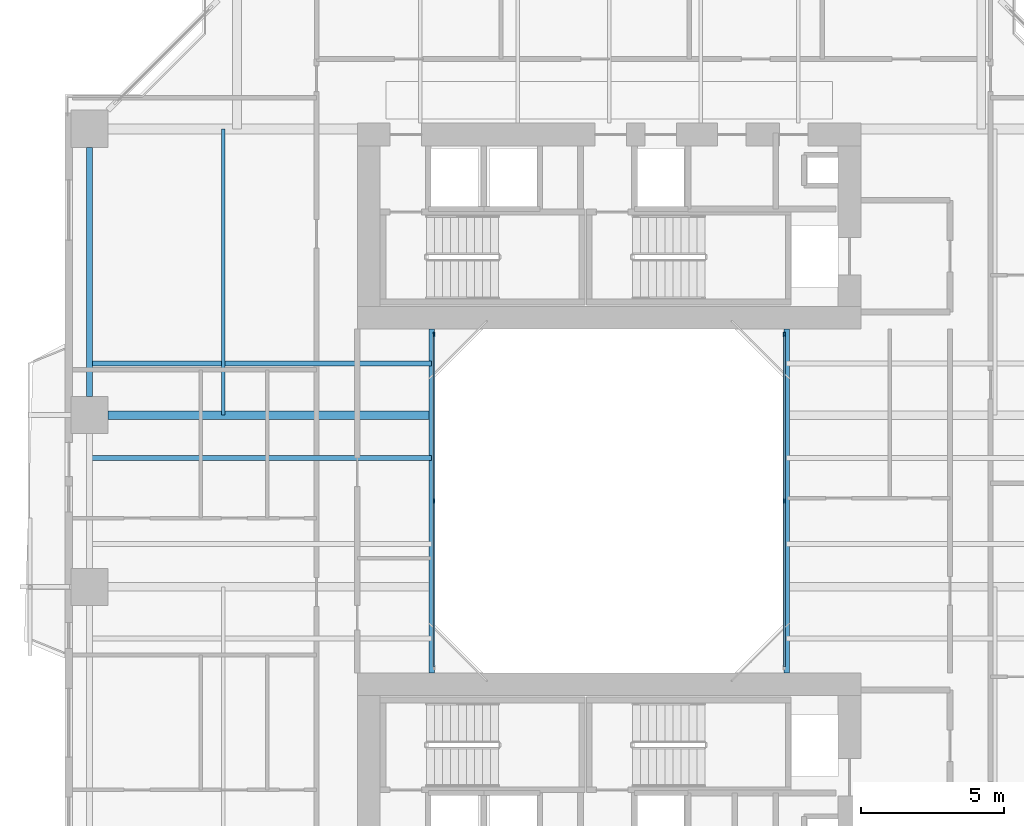
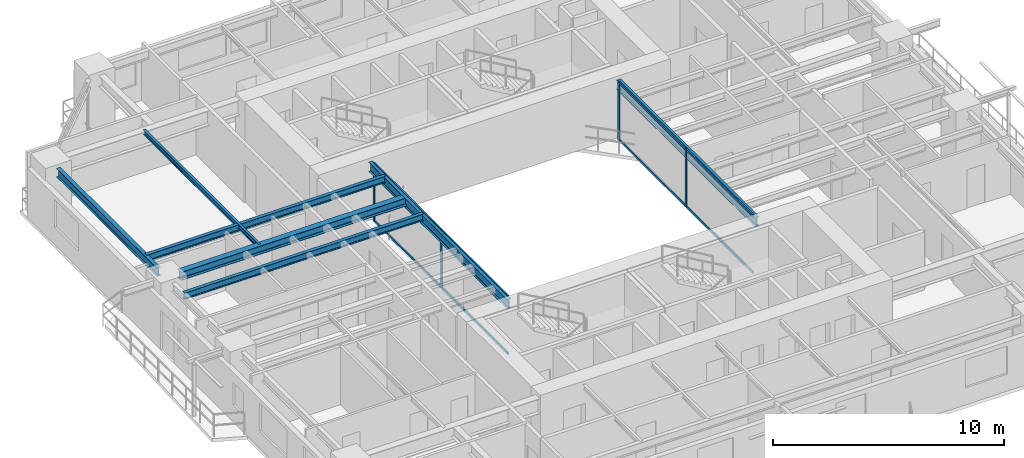
# One storey, part 4 of 23: 12 members, 7 beams, 2 elements without a shape of their own.
"""IFC4 building model written with IfcOpenShell, lengths in metres."""

from ifc_helpers import new_model, si_unit, direction, frame, origin, origin_2d, place, context, subcontext, project, spatial, rectangle, i_section, extrude, source, transform, mapped, material, layer, layer_set, material_profile, profile_set, type_object, element, aggregate, save


model = new_model("IFC4")

# Units and contexts
model_context = context("Model", 3, precision=1e-05, world=origin(), true_north=direction((0.0, 1.0)))
body_context = subcontext(model_context, "Body", "Model", "MODEL_VIEW")
ifc_project = project(units=[si_unit("LENGTHUNIT", "METRE"), si_unit("AREAUNIT", "SQUARE_METRE"), si_unit("VOLUMEUNIT", "CUBIC_METRE"), si_unit("PLANEANGLEUNIT", "RADIAN"), si_unit("MASSUNIT", "GRAM", prefix="KILO"), si_unit("THERMODYNAMICTEMPERATUREUNIT", "KELVIN"), si_unit("POWERUNIT", "WATT")], contexts=[model_context])

# Site, building, storey
site_placement = place(None, origin())
site = spatial("IfcSite", under=ifc_project, at=site_placement, CompositionType="ELEMENT")
building_placement = place(site_placement, origin())
building = spatial("IfcBuilding", under=site, at=building_placement, Name="Qiaomeng Ring Towers", CompositionType="ELEMENT")
storey_placement = place(building_placement, frame((0.0, 0.0, 76.25)))
storey = spatial("IfcBuildingStorey", under=building, at=storey_placement, Name="L21", CompositionType="ELEMENT", Elevation=76.25)

# Beams
ifc_material_1 = material(Name="Steel Q355B", Category="steel")
ifc_material_profile_1 = material_profile(ifc_material_1, i_section(OverallWidth=0.199951171875, OverallDepth=0.5, WebThickness=0.010009765625, FlangeThickness=0.01611328125, FilletRadius=0.02001953125, at=origin_2d()), Name="HN 500x200x10x16")
ifc_profile_set_1 = profile_set([ifc_material_profile_1], Name="Steel Q355B")
beam_type_1 = type_object("IfcBeamType", Name="STR-BM-HN500", PredefinedType="BEAM", material=ifc_profile_set_1)
shared_shape_1 = source(origin(), body_context, "Body", "SweptSolid", [
    extrude(i_section(OverallWidth=0.199951171875, OverallDepth=0.5, WebThickness=0.010009765625, FlangeThickness=0.01611328125, FilletRadius=0.02001953125, at=origin_2d()), origin(), (0.0, 0.0, 1.0), 12.0),
])
for number, where, z_axis, x_axis, name in (
    (1, (12.800048828125, 17.0, 2.820068359375), (0.0, 1.0, 0.0), (-1.0, 0.0, 0.0), "L21 beam STR-BM-L21-WELL-W"),
    (2, (25.199951171875, 17.0, 2.820068359375), (0.0, 1.0, 0.0), (-1.0, 0.0, 0.0), "L21 beam STR-BM-L21-WELL-E"),
):
    element("IfcBeam", number, at=place(storey_placement, frame(where, z_axis=z_axis, x_axis=x_axis)), inside=storey, type_object=beam_type_1, Name=name, PredefinedType="BEAM", context=body_context, shape_type="MappedRepresentation", body=[
        mapped(shared_shape_1, transform((0.0, 0.0, 0.0), x_axis=(1.0, 0.0, 0.0), y_axis=(0.0, 1.0, 0.0), z_axis=(0.0, 0.0, 1.0), scale=1.0)),
    ])
ifc_material_profile_2 = material_profile(ifc_material_1, i_section(OverallWidth=0.199951171875, OverallDepth=0.449951171875, WebThickness=0.009033203125, FlangeThickness=0.013916015625, FilletRadius=0.01806640625, at=origin_2d()), Name="HN 450x200x9x14")
ifc_profile_set_2 = profile_set([ifc_material_profile_2], Name="Steel Q355B")
beam_type_2 = type_object("IfcBeamType", Name="STR-BM-HN450", PredefinedType="SPANDREL", material=ifc_profile_set_2)
shared_shape_2 = source(origin(), body_context, "Body", "SweptSolid", [
    extrude(i_section(OverallWidth=0.199951171875, OverallDepth=0.449951171875, WebThickness=0.009033203125, FlangeThickness=0.013916015625, FilletRadius=0.01806640625, at=origin_2d()), origin(), (0.0, 0.0, 1.0), 8.7021484375),
])
beam_1_placement = place(storey_placement, frame((0.85009765625, 35.35107421875, 2.844970703125), z_axis=(0.0, -1.0, 0.0), x_axis=(1.0, 0.0, 0.0)))
element("IfcBeam", 3, at=beam_1_placement, inside=storey, type_object=beam_type_2, Name="L21 beam STR-SP-L21-T1-W4-W3", PredefinedType="SPANDREL", context=body_context, shape_type="MappedRepresentation", body=[
    mapped(shared_shape_2, transform((0.0, 0.0, 0.0), x_axis=(1.0, 0.0, 0.0), y_axis=(0.0, 1.0, 0.0), z_axis=(0.0, 0.0, 1.0), scale=1.0)),
])
ifc_material_profile_3 = material_profile(ifc_material_1, i_section(OverallWidth=0.300048828125, OverallDepth=0.43994140625, WebThickness=0.010986328125, FlangeThickness=0.01806640625, FilletRadius=0.02392578125, at=origin_2d()), Name="HM 440x300x11x18")
ifc_profile_set_3 = profile_set([ifc_material_profile_3], Name="Steel Q355B")
beam_type_3 = type_object("IfcBeamType", Name="STR-BM-HM440", PredefinedType="BEAM", material=ifc_profile_set_3)
shared_shape_3 = source(origin(), body_context, "Body", "SweptSolid", [
    extrude(i_section(OverallWidth=0.300048828125, OverallDepth=0.43994140625, WebThickness=0.010986328125, FlangeThickness=0.01806640625, FilletRadius=0.02392578125, at=origin_2d()), origin(), (0.0, 0.0, 1.0), 11.301025390625),
])
beam_2_placement = place(storey_placement, frame((1.4990234375, 26.0, 2.85009765625), z_axis=(1.0, 0.0, 0.0), x_axis=(0.0, 1.0, 0.0)))
element("IfcBeam", 4, at=beam_2_placement, inside=storey, type_object=beam_type_3, Name="L21 beam STR-BM-L21-T1-RAD-W3", PredefinedType="BEAM", context=body_context, shape_type="MappedRepresentation", body=[
    mapped(shared_shape_3, transform((0.0, 0.0, 0.0), x_axis=(1.0, 0.0, 0.0), y_axis=(0.0, 1.0, 0.0), z_axis=(0.0, 0.0, 1.0), scale=1.0)),
])
ifc_material_profile_4 = material_profile(ifc_material_1, i_section(OverallWidth=0.175048828125, OverallDepth=0.35009765625, WebThickness=0.007080078125, FlangeThickness=0.010986328125, FilletRadius=0.013916015625, at=origin_2d()), Name="HN 350x175x7x11")
ifc_profile_set_4 = profile_set([ifc_material_profile_4], Name="Steel Q355B")
beam_type_4 = type_object("IfcBeamType", Name="STR-BM-HN350", PredefinedType="JOIST", material=ifc_profile_set_4)
shared_shape_4 = source(origin(), body_context, "Body", "SweptSolid", [
    extrude(i_section(OverallWidth=0.175048828125, OverallDepth=0.35009765625, WebThickness=0.007080078125, FlangeThickness=0.010986328125, FilletRadius=0.013916015625, at=origin_2d()), origin(), (0.0, 0.0, 1.0), 11.949951171875),
])
for number, where, z_axis, x_axis, name in (
    (5, (0.85009765625, 24.5, 2.89501953125), (1.0, 0.0, 0.0), (0.0, 1.0, 0.0), "L21 beam STR-JST-L21-T1W-3"),
    (6, (0.85009765625, 27.800048828125, 2.89501953125), (1.0, 0.0, 0.0), (0.0, 1.0, 0.0), "L21 beam STR-JST-L21-T1W-4"),
):
    element("IfcBeam", number, at=place(storey_placement, frame(where, z_axis=z_axis, x_axis=x_axis)), inside=storey, type_object=beam_type_4, Name=name, PredefinedType="JOIST", context=body_context, shape_type="MappedRepresentation", body=[
        mapped(shared_shape_4, transform((0.0, 0.0, 0.0), x_axis=(1.0, 0.0, 0.0), y_axis=(0.0, 1.0, 0.0), z_axis=(0.0, 0.0, 1.0), scale=1.0)),
    ])
ifc_material_profile_5 = material_profile(ifc_material_1, i_section(OverallWidth=0.125, OverallDepth=0.25, WebThickness=0.006103515625, FlangeThickness=0.009033203125, FilletRadius=0.011962890625, at=origin_2d()), Name="HN 250x125x6x9")
ifc_profile_set_5 = profile_set([ifc_material_profile_5], Name="Steel Q355B")
beam_type_5 = type_object("IfcBeamType", Name="STR-BM-HN250", PredefinedType="JOIST", material=ifc_profile_set_5)
shared_shape_5 = source(origin(), body_context, "Body", "SweptSolid", [
    extrude(i_section(OverallWidth=0.125, OverallDepth=0.25, WebThickness=0.006103515625, FlangeThickness=0.009033203125, FilletRadius=0.011962890625, at=origin_2d()), origin(), (0.0, 0.0, 1.0), 10.0),
])
beam_3_placement = place(storey_placement, frame((5.52490234375, 26.0, 2.945068359375), z_axis=(0.0, 1.0, 0.0), x_axis=(-1.0, 0.0, 0.0)))
element("IfcBeam", 7, at=beam_3_placement, inside=storey, type_object=beam_type_5, Name="L21 beam STR-JST-L21-T1C-WN", PredefinedType="JOIST", context=body_context, shape_type="MappedRepresentation", body=[
    mapped(shared_shape_5, transform((0.0, 0.0, 0.0), x_axis=(1.0, 0.0, 0.0), y_axis=(0.0, 1.0, 0.0), z_axis=(0.0, 0.0, 1.0), scale=1.0)),
])

# Curtain wall, members
ifc_material_2 = material(Name="Fluorocarbon dark-grey aluminium", Category="aluminium")
ifc_layer = layer(ifc_material_2, 0.139892578125, Name="Fluorocarbon dark-grey aluminium")
ifc_layer_set = layer_set([ifc_layer], Name="Fluorocarbon dark-grey aluminium")
curtain_wall_type = type_object("IfcCurtainWallType", Name="ARC-CW-4", PredefinedType="NOTDEFINED", material=ifc_layer_set)
curtain_wall_1_placement = place(storey_placement, origin())
curtain_wall_1 = element("IfcCurtainWall", 8, at=curtain_wall_1_placement, inside=storey, type_object=curtain_wall_type, Name="L21 Curtain Wall CW4", PredefinedType="NOTDEFINED")
ifc_material_profile_6 = material_profile(ifc_material_2, rectangle(XDim=0.06494140625, YDim=0.159912109375, at=origin_2d()), Name="ALU MULL 65x160")
ifc_profile_set_6 = profile_set([ifc_material_profile_6], Name="Fluorocarbon dark-grey aluminium")
member_type_1 = type_object("IfcMemberType", Name="ARC-CWM-140", PredefinedType="MULLION", material=ifc_profile_set_6)
shared_shape_6 = source(origin(), body_context, "Body", "SweptSolid", [
    extrude(rectangle(XDim=0.06494140625, YDim=0.159912109375, at=origin_2d()), origin(), (0.0, 0.0, 1.0), 3.070068359375),
])
member_1_placement = place(storey_placement, frame((12.8798828125, 23.0, 0.0), z_axis=(0.0, 0.0, 1.0), x_axis=(-1.0, 0.0, 0.0)))
member_1 = element("IfcMember", 9, at=member_1_placement, type_object=member_type_1, Name="CW4 mullion 2", PredefinedType="MULLION", context=body_context, shape_type="MappedRepresentation", body=[
    mapped(shared_shape_6, transform((0.0, 0.0, 0.0), x_axis=(1.0, 0.0, 0.0), y_axis=(0.0, 1.0, 0.0), z_axis=(0.0, 0.0, 1.0), scale=1.0)),
])
member_2_placement = place(storey_placement, frame((12.8798828125, 28.8173828125, 0.0), z_axis=(0.0, 0.0, 1.0), x_axis=(-1.0, 0.0, 0.0)))
member_2 = element("IfcMember", 10, at=member_2_placement, type_object=member_type_1, Name="CW4 mullion 3", PredefinedType="MULLION", context=body_context, shape_type="MappedRepresentation", body=[
    mapped(shared_shape_6, transform((0.0, 0.0, 0.0), x_axis=(1.0, 0.0, 0.0), y_axis=(0.0, 1.0, 0.0), z_axis=(0.0, 0.0, 1.0), scale=1.0)),
])

curtain_wall_2_placement = place(storey_placement, origin())
curtain_wall_2 = element("IfcCurtainWall", 11, at=curtain_wall_2_placement, inside=storey, type_object=curtain_wall_type, Name="L21 Curtain Wall CW4", PredefinedType="NOTDEFINED")
member_3_placement = place(storey_placement, frame((25.1201171875, 23.0, 0.0), z_axis=(0.0, 0.0, 1.0), x_axis=(-1.0, 0.0, 0.0)))
member_3 = element("IfcMember", 12, at=member_3_placement, type_object=member_type_1, Name="CW4 mullion 2", PredefinedType="MULLION", context=body_context, shape_type="MappedRepresentation", body=[
    mapped(shared_shape_6, transform((0.0, 0.0, 0.0), x_axis=(1.0, 0.0, 0.0), y_axis=(0.0, 1.0, 0.0), z_axis=(0.0, 0.0, 1.0), scale=1.0)),
])
member_4_placement = place(storey_placement, frame((25.1201171875, 28.8173828125, 0.0), z_axis=(0.0, 0.0, 1.0), x_axis=(-1.0, 0.0, 0.0)))
member_4 = element("IfcMember", 13, at=member_4_placement, type_object=member_type_1, Name="CW4 mullion 3", PredefinedType="MULLION", context=body_context, shape_type="MappedRepresentation", body=[
    mapped(shared_shape_6, transform((0.0, 0.0, 0.0), x_axis=(1.0, 0.0, 0.0), y_axis=(0.0, 1.0, 0.0), z_axis=(0.0, 0.0, 1.0), scale=1.0)),
])

# Member
ifc_material_profile_7 = material_profile(ifc_material_2, rectangle(XDim=0.06494140625, YDim=0.1298828125, at=origin_2d()), Name="ALU TRAN 65x130")
ifc_profile_set_7 = profile_set([ifc_material_profile_7], Name="Fluorocarbon dark-grey aluminium")
member_type_2 = type_object("IfcMemberType", Name="ARC-CWT-120", PredefinedType="USERDEFINED", material=ifc_profile_set_7)
shared_shape_7 = source(origin(), body_context, "Body", "SweptSolid", [
    extrude(rectangle(XDim=0.06494140625, YDim=0.1298828125, at=origin_2d()), origin(), (0.0, 0.0, 1.0), 5.75244140625),
])
member_5_placement = place(storey_placement, frame((12.8798828125, 17.215087890625, 0.032470703125), z_axis=(0.0, 1.0, 0.0), x_axis=(-1.0, 0.0, 0.0)))
member_5 = element("IfcMember", 14, at=member_5_placement, type_object=member_type_2, Name="CW4 transom 1.1", ObjectType="TRANSOM", PredefinedType="USERDEFINED", context=body_context, shape_type="MappedRepresentation", body=[
    mapped(shared_shape_7, transform((0.0, 0.0, 0.0), x_axis=(1.0, 0.0, 0.0), y_axis=(0.0, 1.0, 0.0), z_axis=(0.0, 0.0, 1.0), scale=1.0)),
])

member_6_placement = place(storey_placement, frame((12.8798828125, 17.215087890625, 3.03759765625), z_axis=(0.0, 1.0, 0.0), x_axis=(-1.0, 0.0, 0.0)))
member_6 = element("IfcMember", 15, at=member_6_placement, type_object=member_type_2, Name="CW4 transom 1.2", ObjectType="TRANSOM", PredefinedType="USERDEFINED", context=body_context, shape_type="MappedRepresentation", body=[
    mapped(shared_shape_7, transform((0.0, 0.0, 0.0), x_axis=(1.0, 0.0, 0.0), y_axis=(0.0, 1.0, 0.0), z_axis=(0.0, 0.0, 1.0), scale=1.0)),
])

member_7_placement = place(storey_placement, frame((12.8798828125, 23.032470703125, 0.032470703125), z_axis=(0.0, 1.0, 0.0), x_axis=(-1.0, 0.0, 0.0)))
member_7 = element("IfcMember", 16, at=member_7_placement, type_object=member_type_2, Name="CW4 transom 2.1", ObjectType="TRANSOM", PredefinedType="USERDEFINED", context=body_context, shape_type="MappedRepresentation", body=[
    mapped(shared_shape_7, transform((0.0, 0.0, 0.0), x_axis=(1.0, 0.0, 0.0), y_axis=(0.0, 1.0, 0.0), z_axis=(0.0, 0.0, 1.0), scale=1.0)),
])

member_8_placement = place(storey_placement, frame((12.8798828125, 23.032470703125, 3.03759765625), z_axis=(0.0, 1.0, 0.0), x_axis=(-1.0, 0.0, 0.0)))
member_8 = element("IfcMember", 17, at=member_8_placement, type_object=member_type_2, Name="CW4 transom 2.2", ObjectType="TRANSOM", PredefinedType="USERDEFINED", context=body_context, shape_type="MappedRepresentation", body=[
    mapped(shared_shape_7, transform((0.0, 0.0, 0.0), x_axis=(1.0, 0.0, 0.0), y_axis=(0.0, 1.0, 0.0), z_axis=(0.0, 0.0, 1.0), scale=1.0)),
])

aggregate(curtain_wall_1, [member_1, member_2, member_5, member_6, member_7, member_8])

member_9_placement = place(storey_placement, frame((25.1201171875, 17.215087890625, 0.032470703125), z_axis=(0.0, 1.0, 0.0), x_axis=(-1.0, 0.0, 0.0)))
member_9 = element("IfcMember", 18, at=member_9_placement, type_object=member_type_2, Name="CW4 transom 1.1", ObjectType="TRANSOM", PredefinedType="USERDEFINED", context=body_context, shape_type="MappedRepresentation", body=[
    mapped(shared_shape_7, transform((0.0, 0.0, 0.0), x_axis=(1.0, 0.0, 0.0), y_axis=(0.0, 1.0, 0.0), z_axis=(0.0, 0.0, 1.0), scale=1.0)),
])

member_10_placement = place(storey_placement, frame((25.1201171875, 17.215087890625, 3.03759765625), z_axis=(0.0, 1.0, 0.0), x_axis=(-1.0, 0.0, 0.0)))
member_10 = element("IfcMember", 19, at=member_10_placement, type_object=member_type_2, Name="CW4 transom 1.2", ObjectType="TRANSOM", PredefinedType="USERDEFINED", context=body_context, shape_type="MappedRepresentation", body=[
    mapped(shared_shape_7, transform((0.0, 0.0, 0.0), x_axis=(1.0, 0.0, 0.0), y_axis=(0.0, 1.0, 0.0), z_axis=(0.0, 0.0, 1.0), scale=1.0)),
])

member_11_placement = place(storey_placement, frame((25.1201171875, 23.032470703125, 0.032470703125), z_axis=(0.0, 1.0, 0.0), x_axis=(-1.0, 0.0, 0.0)))
member_11 = element("IfcMember", 20, at=member_11_placement, type_object=member_type_2, Name="CW4 transom 2.1", ObjectType="TRANSOM", PredefinedType="USERDEFINED", context=body_context, shape_type="MappedRepresentation", body=[
    mapped(shared_shape_7, transform((0.0, 0.0, 0.0), x_axis=(1.0, 0.0, 0.0), y_axis=(0.0, 1.0, 0.0), z_axis=(0.0, 0.0, 1.0), scale=1.0)),
])

member_12_placement = place(storey_placement, frame((25.1201171875, 23.032470703125, 3.03759765625), z_axis=(0.0, 1.0, 0.0), x_axis=(-1.0, 0.0, 0.0)))
member_12 = element("IfcMember", 21, at=member_12_placement, type_object=member_type_2, Name="CW4 transom 2.2", ObjectType="TRANSOM", PredefinedType="USERDEFINED", context=body_context, shape_type="MappedRepresentation", body=[
    mapped(shared_shape_7, transform((0.0, 0.0, 0.0), x_axis=(1.0, 0.0, 0.0), y_axis=(0.0, 1.0, 0.0), z_axis=(0.0, 0.0, 1.0), scale=1.0)),
])

aggregate(curtain_wall_2, [member_3, member_4, member_9, member_10, member_11, member_12])

save(model, "model.ifc")
